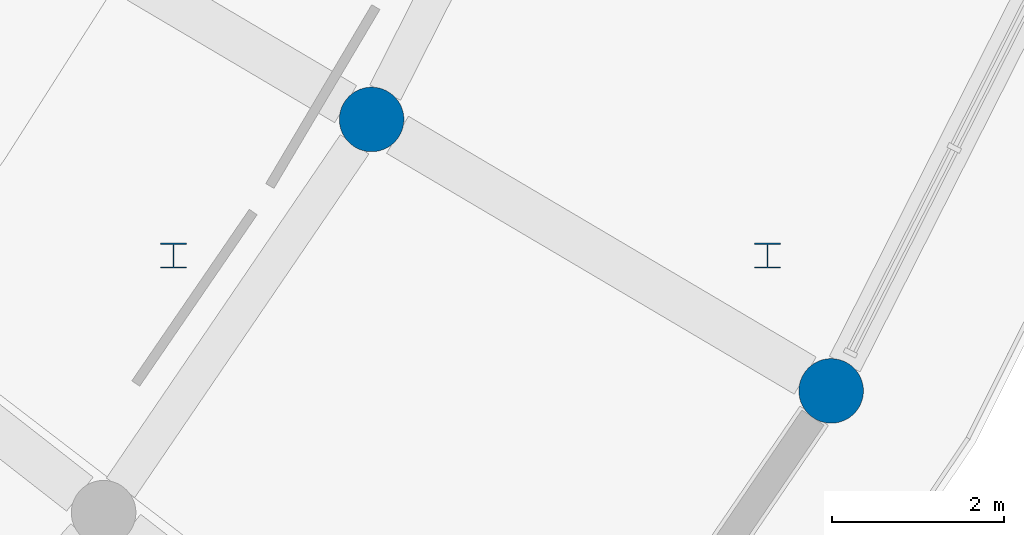
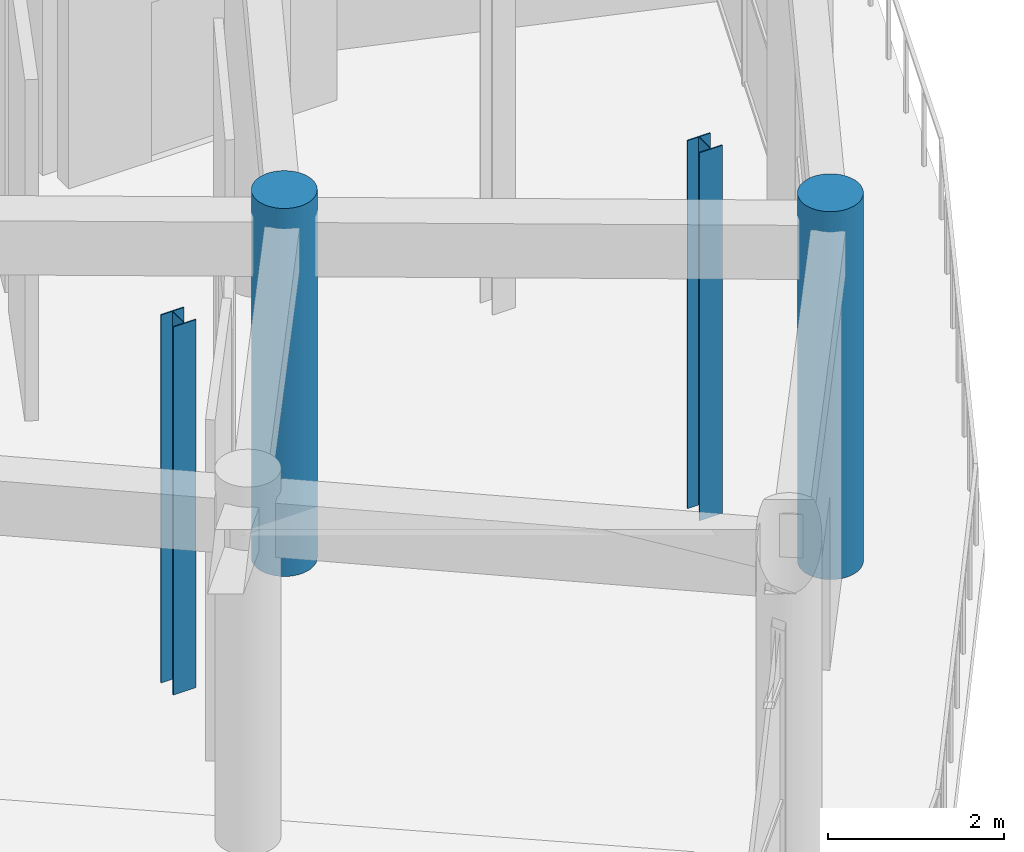
# One storey, part 6 of 99: 4 columns.
"""IFC4 building model written with IfcOpenShell, lengths in metres."""

from ifc_helpers import new_model, si_unit, direction, frame, origin, origin_2d, place, context, subcontext, project, spatial, circle, i_section, extrude, material, material_profile, profile_set, type_object, element, save


model = new_model("IFC4")

# Units and contexts
model_context = context("Model", 3, precision=1e-05, world=origin(), true_north=direction((0.0, 1.0)))
body_context = subcontext(model_context, "Body", "Model", "MODEL_VIEW")
ifc_project = project(units=[si_unit("LENGTHUNIT", "METRE"), si_unit("AREAUNIT", "SQUARE_METRE"), si_unit("VOLUMEUNIT", "CUBIC_METRE"), si_unit("PLANEANGLEUNIT", "RADIAN"), si_unit("MASSUNIT", "GRAM", prefix="KILO")], contexts=[model_context])

# Site, building, storey
site_placement = place(None, origin())
site = spatial("IfcSite", under=ifc_project, at=site_placement, CompositionType="ELEMENT")
building_placement = place(site_placement, origin())
building = spatial("IfcBuilding", under=site, at=building_placement, Name="Saryqyr Civic Hall", CompositionType="ELEMENT")
storey_placement = place(building_placement, origin())
storey = spatial("IfcBuildingStorey", under=building, at=storey_placement, Name="L00", CompositionType="ELEMENT", Elevation=0.0)

# Columns
ifc_material_1 = material(Name="Steel S355", Category="steel")
ifc_material_profile_1 = material_profile(ifc_material_1, i_section(OverallWidth=0.300048828125, OverallDepth=0.2900390625, WebThickness=0.008544921875, FlangeThickness=0.013916015625, at=origin_2d()), Name="HEA 300")
ifc_profile_set_1 = profile_set([ifc_material_profile_1], Name="Steel S355")
column_type_1 = type_object("IfcColumnType", Name="STR-COL-HEA300-S355", PredefinedType="COLUMN", material=ifc_profile_set_1)
for number, where, z_axis, x_axis, name in (
    (1, (91.550048828125, 60.64990234375, 0.0), (0.0, 0.0, 1.0), (1.0, 0.0, 0.0), "Column RGV5-COL-1-L00"),
    (2, (98.449951171875, 60.64990234375, 0.0), (0.0, 0.0, 1.0), (1.0, 0.0, 0.0), "Column RGV5-COL-2-L00"),
):
    element("IfcColumn", number, at=place(storey_placement, frame(where, z_axis=z_axis, x_axis=x_axis)), inside=storey, type_object=column_type_1, Name=name, PredefinedType="COLUMN", context=body_context, shape_type="SweptSolid", body=[
        extrude(i_section(OverallWidth=0.300048828125, OverallDepth=0.2900390625, WebThickness=0.008544921875, FlangeThickness=0.013916015625, at=origin_2d()), origin(), (0.0, 0.0, 1.0), 5.10009765625),
    ])
ifc_material_2 = material(Name="Concrete C40/50", Category="concrete")
ifc_material_profile_2 = material_profile(ifc_material_2, circle(Radius=0.375, at=origin_2d()), Name="RC D750")
ifc_profile_set_2 = profile_set([ifc_material_profile_2], Name="Concrete C40/50")
column_type_2 = type_object("IfcColumnType", Name="STR-COL-RCD750-EXT", PredefinedType="COLUMN", material=ifc_profile_set_2)
column_1_placement = place(storey_placement, frame((99.189453125, 59.0791015625, 0.0), z_axis=(0.0, 0.0, 1.0), x_axis=(0.861008442465, -0.508590662521, 0.0)))
element("IfcColumn", 3, at=column_1_placement, inside=storey, type_object=column_type_2, Name="Column V5-COL-OUT06-L00", PredefinedType="COLUMN", context=body_context, shape_type="SweptSolid", body=[
    extrude(circle(Radius=0.375, at=origin_2d()), origin(), (0.0, 0.0, 1.0), 5.10009765625),
])
ifc_material_profile_3 = material_profile(ifc_material_2, circle(Radius=0.375, at=origin_2d()), Name="RC D750")
ifc_profile_set_3 = profile_set([ifc_material_profile_3], Name="Concrete C40/50")
column_type_3 = type_object("IfcColumnType", Name="STR-COL-RCD750-INT", PredefinedType="COLUMN", material=ifc_profile_set_3)
column_2_placement = place(storey_placement, frame((93.851318359375, 62.232421875, 0.0), z_axis=(0.0, 0.0, 1.0), x_axis=(0.861008442465, -0.508590662521, 0.0)))
element("IfcColumn", 4, at=column_2_placement, inside=storey, type_object=column_type_3, Name="Column V5-COL-MID06-L00", PredefinedType="COLUMN", context=body_context, shape_type="SweptSolid", body=[
    extrude(circle(Radius=0.375, at=origin_2d()), origin(), (0.0, 0.0, 1.0), 5.10009765625),
])

save(model, "model.ifc")
